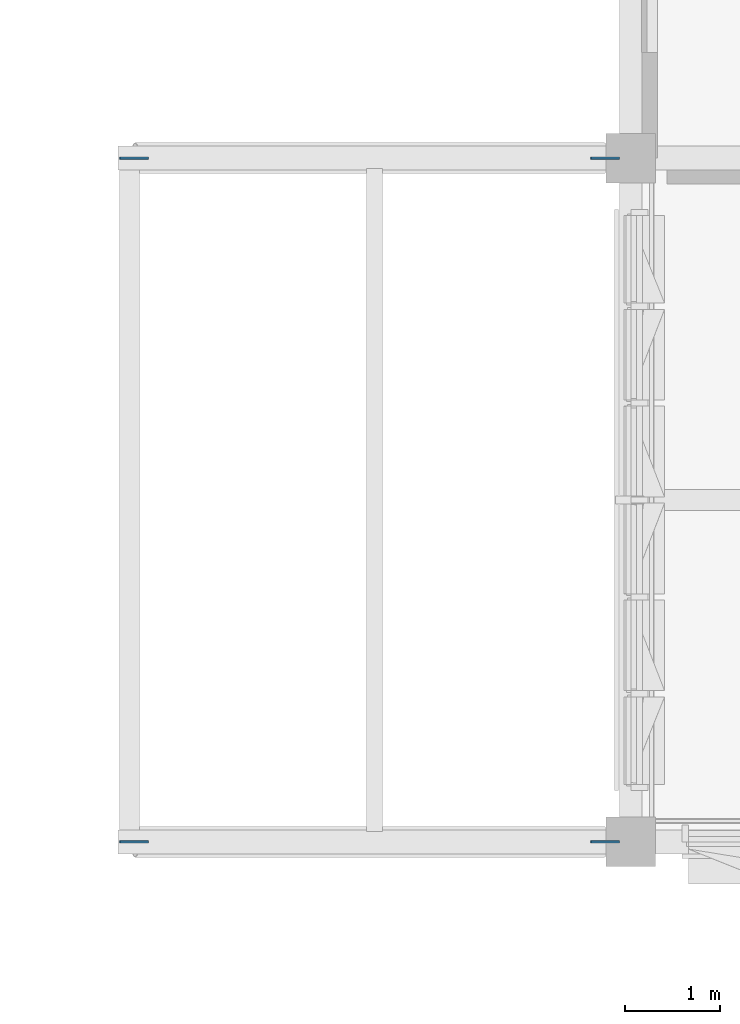
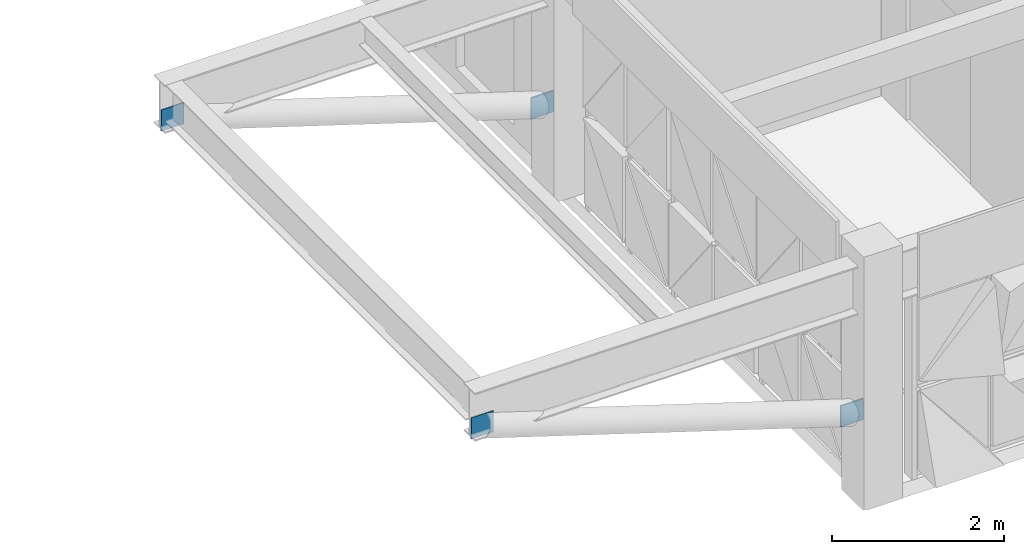
# One storey, part 26 of 48: 4 plates.
"""IFC4 building model written with IfcOpenShell, lengths in metres."""

from ifc_helpers import new_model, si_unit, direction, frame, origin, place, context, subcontext, project, spatial, polyline, outline, extrude, material, layer, layer_set, type_object, element, save


model = new_model("IFC4")

# Units and contexts
model_context = context("Model", 3, precision=1e-05, world=origin(), true_north=direction((0.0, 1.0)))
body_context = subcontext(model_context, "Body", "Model", "MODEL_VIEW")
ifc_project = project(units=[si_unit("LENGTHUNIT", "METRE"), si_unit("AREAUNIT", "SQUARE_METRE"), si_unit("VOLUMEUNIT", "CUBIC_METRE"), si_unit("PLANEANGLEUNIT", "RADIAN"), si_unit("MASSUNIT", "GRAM", prefix="KILO")], contexts=[model_context])

# Site, building, storey
site_placement = place(None, origin())
site = spatial("IfcSite", under=ifc_project, at=site_placement, CompositionType="ELEMENT")
building_placement = place(site_placement, origin())
building = spatial("IfcBuilding", under=site, at=building_placement, Name="Alvorim Cloister Faculty of Sciences", CompositionType="ELEMENT")
storey_placement = place(building_placement, frame((0.0, 0.0, 19.35009765625)))
storey = spatial("IfcBuildingStorey", under=building, at=storey_placement, Name="L05", CompositionType="ELEMENT", Elevation=19.35009765625)

# Plates
ifc_material = material(Name="Steel ASTM A572 Grade 50", Category="steel")
ifc_layer = layer(ifc_material, 0.02001953125)
ifc_layer_set = layer_set([ifc_layer], Name="Steel ASTM A572 Grade 50")
plate_type = type_object("IfcPlateType", Name="PL-GUS-20", PredefinedType="SHEET", material=ifc_layer_set)
for number, where, z_axis, x_axis, name in (
    (1, (7.07958984375, 7.199951171875, 1.096923828125), (0.0, 0.0, 1.0), (-1.0, 0.0, 0.0), "Hollow Steel End Plate ND-05"),
    (2, (2.120361328125, 7.199951171875, 2.662841796875), (0.0, 0.0, 1.0), (-1.0, 0.0, 0.0), "Hollow Steel End Plate ND-05"),
    (3, (7.07958984375, 14.39990234375, 1.096923828125), (0.0, 0.0, 1.0), (-1.0, 0.0, 0.0), "Hollow Steel End Plate ND-05"),
    (4, (2.120361328125, 14.39990234375, 2.662841796875), (0.0, 0.0, 1.0), (-1.0, 0.0, 0.0), "Hollow Steel End Plate ND-05"),
):
    element("IfcPlate", number, at=place(storey_placement, frame(where, z_axis=z_axis, x_axis=x_axis)), inside=storey, type_object=plate_type, Name=name, PredefinedType="SHEET", context=body_context, shape_type="SweptSolid", body=[
        extrude(outline(polyline([(0.0, 0.0), (0.300048828125, 0.0), (0.300048828125, 0.300048828125), (0.0, 0.300048828125), (0.0, 0.0)])), frame((0.0, 0.010009765625, 0.0), z_axis=(0.0, -1.0, 0.0), x_axis=(1.0, 0.0, 0.0)), (0.0, 0.0, 1.0), 0.02001953125),
    ])

save(model, "model.ifc")
